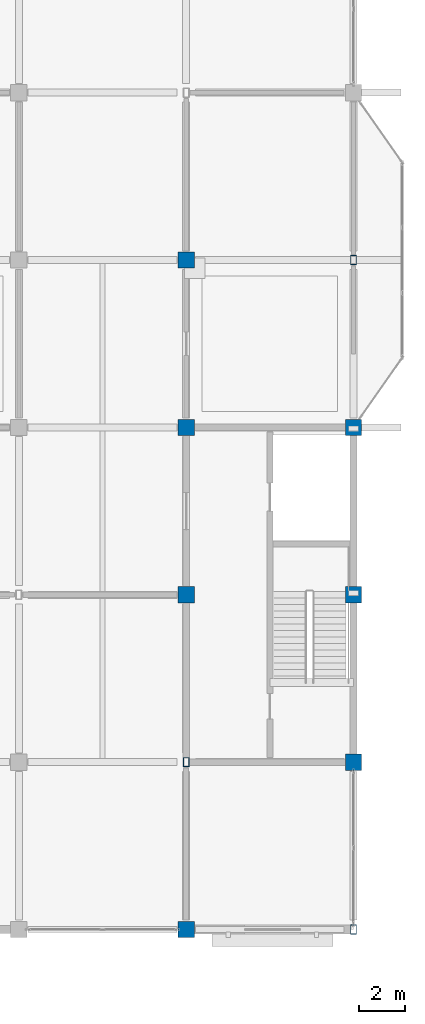
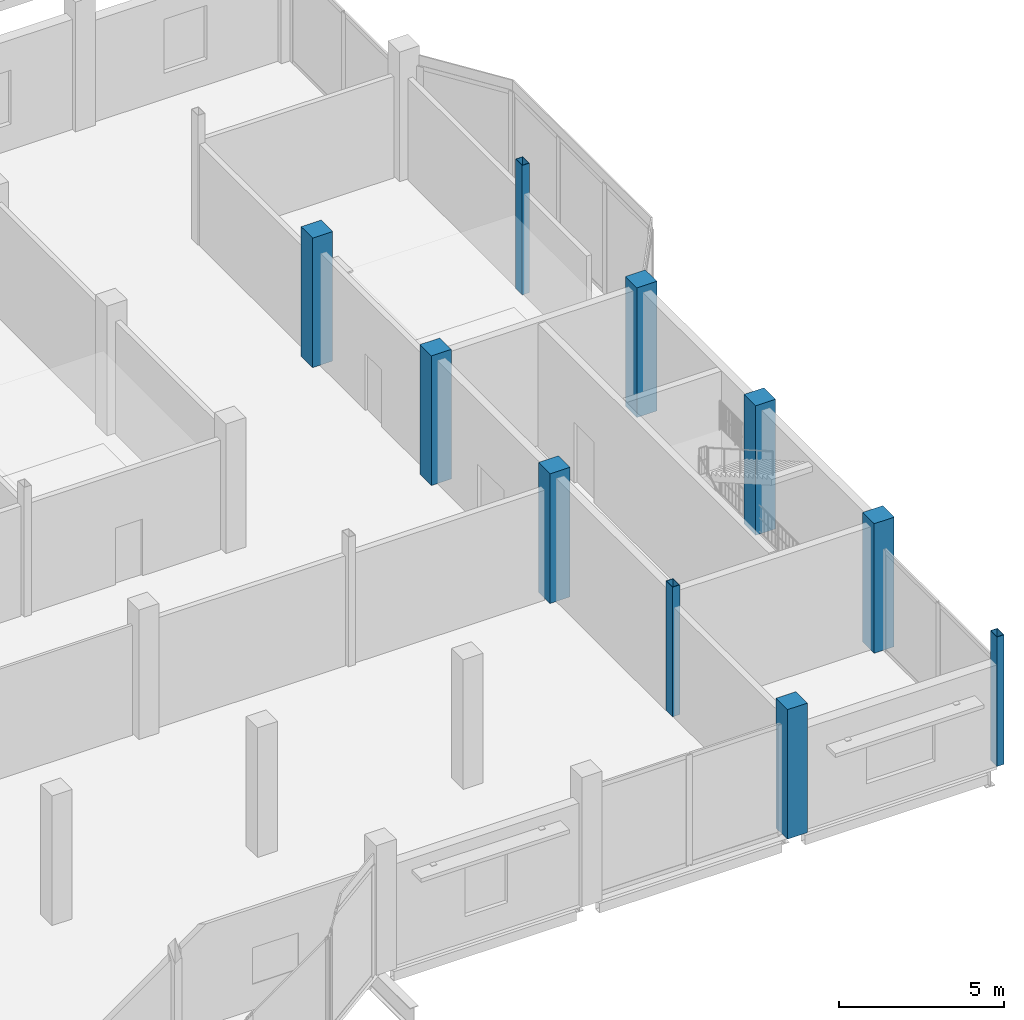
# One storey, part 12 of 120: 10 columns.
"""IFC4 building model written with IfcOpenShell, lengths in metres."""

import ifcopenshell
import ifcopenshell.guid

model = None  # the IFC model being written
_history = None  # IfcOwnerHistory: only IFC2X3 demands one
_inside = {}  # id of a spatial element -> (the spatial element, [elements in it])
_under = {}  # id of a project, library or spatial element -> (it, [spatial elements below it])
_declared = {}  # id of a project -> (the project, [libraries it declares])
_typed = {}  # id of a type object -> (the type object, [elements of that type])
_made_of = {}  # id of a material, layer set ... -> (it, [elements and type objects made of it])


def new_model(schema):
    """Start an empty IFC model of exactly this schema.

    Asked for "IFC4X3", IfcOpenShell would pick the latest addendum, in which some entities
    have other attributes; the version numbers below select the first issue.
    IFC2X3 requires an IfcOwnerHistory on every rooted entity: one is made here for all.
    """
    global model, _history
    if schema == "IFC4X3":
        model = ifcopenshell.file(schema_version=(4, 3, 0, 0))
    else:
        model = ifcopenshell.file(schema=schema)
    _inside.clear()
    _under.clear()
    _declared.clear()
    _typed.clear()
    _made_of.clear()
    _history = None
    if model.schema == "IFC2X3":
        org = make("IfcOrganization", Name="unknown")
        user = make(
            "IfcPersonAndOrganization",
            ThePerson=make("IfcPerson", FamilyName="unknown"),
            TheOrganization=org,
        )
        app = make(
            "IfcApplication",
            ApplicationDeveloper=org,
            Version="unknown",
            ApplicationFullName="unknown",
            ApplicationIdentifier="unknown",
        )
        _history = make(
            "IfcOwnerHistory",
            OwningUser=user,
            OwningApplication=app,
            ChangeAction="ADDED",
            CreationDate=0,
        )
    return model


def make(cls, **values):
    """One entity of the class cls with the attributes given. An attribute that is None is left unset."""
    return model.create_entity(
        cls, **{name: value for name, value in values.items() if value is not None}
    )


def rooted(cls, **values):
    """An entity with a GlobalId (a new one), such as an element, a storey or a relation."""
    return make(cls, GlobalId=ifcopenshell.guid.new(), OwnerHistory=_history, **values)


def si_unit(unit_type, name, prefix=None):
    """IfcSIUnit, for example si_unit("LENGTHUNIT", "METRE", prefix="MILLI")."""
    return make("IfcSIUnit", UnitType=unit_type, Prefix=prefix, Name=name)


def assignment(units):
    """IfcUnitAssignment: the units of a project."""
    return None if units is None else make("IfcUnitAssignment", Units=units)


def point(xyz):
    """IfcCartesianPoint."""
    return None if xyz is None else make("IfcCartesianPoint", Coordinates=xyz)


def direction(xyz):
    """IfcDirection."""
    return None if xyz is None else make("IfcDirection", DirectionRatios=xyz)


def frame(location, z_axis=None, x_axis=None):
    """IfcAxis2Placement3D, a coordinate frame: its origin and axes. An axis left out is left unset."""
    return make(
        "IfcAxis2Placement3D",
        Location=point(location),
        Axis=direction(z_axis),
        RefDirection=direction(x_axis),
    )


def frame_2d(location, x_axis=None):
    """IfcAxis2Placement2D, a coordinate frame in the plane: its origin and x axis."""
    return make(
        "IfcAxis2Placement2D", Location=point(location), RefDirection=direction(x_axis)
    )


def origin():
    """The frame at (0, 0, 0) with its axes left unset."""
    return frame((0.0, 0.0, 0.0))


def origin_2d():
    """The frame at (0, 0) in the plane with its x axis left unset."""
    return frame_2d((0.0, 0.0))


def place(relative_to, where):
    """IfcLocalPlacement: puts the frame where relative to a parent placement (None: the world)."""
    return make(
        "IfcLocalPlacement", PlacementRelTo=relative_to, RelativePlacement=where
    )


def context(
    kind, dimensions, precision=None, world=None, true_north=None, identifier=None
):
    """IfcGeometricRepresentationContext, for example the 3D "Model" context."""
    return make(
        "IfcGeometricRepresentationContext",
        ContextIdentifier=identifier,
        ContextType=kind,
        CoordinateSpaceDimension=dimensions,
        Precision=precision,
        WorldCoordinateSystem=world,
        TrueNorth=true_north,
    )


def subcontext(parent, identifier, kind, view, scale=None):
    """IfcGeometricRepresentationSubContext, for example "Body" below "Model"."""
    return make(
        "IfcGeometricRepresentationSubContext",
        ContextIdentifier=identifier,
        ContextType=kind,
        ParentContext=parent,
        TargetScale=scale,
        TargetView=view,
    )


def project(units=None, contexts=None):
    """IfcProject with its units and contexts."""
    return rooted(
        "IfcProject",
        Name="project",
        RepresentationContexts=contexts,
        UnitsInContext=assignment(units),
    )


def spatial(cls, under=None, at=None, **own):
    """A site, building, storey or space (cls), placed at a placement, below another one or the project."""
    s = rooted(cls, ObjectPlacement=at, **own)
    if under is not None:
        _under.setdefault(under.id(), (under, []))[1].append(s)
    return s


def profile(cls, at=None, kind="AREA", **sizes):
    """A parametric profile (cls). Its sizes go by their IFC names, for example OverallWidth=200.0."""
    return make(cls, ProfileType=kind, Position=at, **sizes)


def rectangle(**sizes):
    """IfcRectangleProfileDef."""
    return profile("IfcRectangleProfileDef", **sizes)


def hollow_rectangle(**sizes):
    """IfcRectangleHollowProfileDef."""
    return profile("IfcRectangleHollowProfileDef", **sizes)


def extrude(swept, where, along, depth):
    """IfcExtrudedAreaSolid: the profile swept, set in the frame where, extruded along a direction by depth."""
    return make(
        "IfcExtrudedAreaSolid",
        SweptArea=swept,
        Position=where,
        ExtrudedDirection=direction(along),
        Depth=depth,
    )


def shape(context_of_items, identifier, shape_type, items):
    """IfcShapeRepresentation: the items that make up one representation, for example the "Body"."""
    return make(
        "IfcShapeRepresentation",
        ContextOfItems=context_of_items,
        RepresentationIdentifier=identifier,
        RepresentationType=shape_type,
        Items=items,
    )


def material(Name=None, Category=None):
    """IfcMaterial."""
    return make("IfcMaterial", Name=Name, Category=Category)


def material_profile(
    of_material, cross_section, Name=None, Category=None, Priority=None
):
    """IfcMaterialProfile: a cross section and its material."""
    return make(
        "IfcMaterialProfile",
        Name=Name,
        Material=of_material,
        Profile=cross_section,
        Priority=Priority,
        Category=Category,
    )


def profile_set(profiles, Name=None, composite=None):
    """IfcMaterialProfileSet."""
    return make(
        "IfcMaterialProfileSet",
        Name=Name,
        MaterialProfiles=profiles,
        CompositeProfile=composite,
    )


def made_of(thing, what):
    """Note that an element or type object is made of a material, layer set ...; save() writes the relation."""
    if what is not None:
        _made_of.setdefault(what.id(), (what, []))[1].append(thing)
    return thing


def type_object(cls, material=None, **own):
    """A type object (cls), such as IfcWallType, which elements share."""
    return made_of(rooted(cls, **own), material)


def element(
    cls,
    number,
    at=None,
    inside=None,
    cuts=None,
    type_object=None,
    material=None,
    context=None,
    identifier="Body",
    shape_type=None,
    held_by="IfcProductDefinitionShape",
    body=None,
    shapes=None,
    **own,
):
    """One element of the class cls, such as IfcWall. Its Tag is "e" and its number.

    at: its placement. inside: the storey or other place that contains it. cuts: it is an
    opening in that element (IfcRelVoidsElement). A single representation is given by context,
    identifier, shape_type and body (its items); several are given by shapes. held_by: the class
    of the entity that holds the representations. save() writes the other relations.
    """
    e = rooted(cls, Tag="e%d" % number, ObjectPlacement=at, **own)
    if body is not None:
        shapes = [shape(context, identifier, shape_type, body)]
    if shapes is not None:
        e.Representation = make(held_by, Representations=shapes)
    if inside is not None:
        _inside.setdefault(inside.id(), (inside, []))[1].append(e)
    if cuts is not None:
        rooted(
            "IfcRelVoidsElement", RelatingBuildingElement=cuts, RelatedOpeningElement=e
        )
    if type_object is not None:
        _typed.setdefault(type_object.id(), (type_object, []))[1].append(e)
    return made_of(e, material)


def aggregate(whole, parts):
    """IfcRelAggregates: a whole, such as a stair, and the parts it consists of."""
    return rooted("IfcRelAggregates", RelatingObject=whole, RelatedObjects=parts)


def save(model, path):
    """Write the relations noted so far, then the file.

    IfcRelAggregates (storeys below a building ...), IfcRelContainedInSpatialStructure (elements
    in a storey), IfcRelDefinesByType, IfcRelAssociatesMaterial and IfcRelDeclares: one each for
    every whole, place, type object, material and project.
    """
    for whole, parts in _under.values():
        aggregate(whole, parts)
    for where, things in _inside.values():
        rooted(
            "IfcRelContainedInSpatialStructure",
            RelatedElements=things,
            RelatingStructure=where,
        )
    for kind, things in _typed.values():
        rooted("IfcRelDefinesByType", RelatedObjects=things, RelatingType=kind)
    for what, things in _made_of.values():
        rooted("IfcRelAssociatesMaterial", RelatedObjects=things, RelatingMaterial=what)
    for by, libraries in _declared.values():
        rooted("IfcRelDeclares", RelatingContext=by, RelatedDefinitions=libraries)
    model.write(path)


model = new_model("IFC4")

# Units and contexts
model_context = context("Model", 3, precision=1e-05, world=origin(), true_north=direction((0.0, 1.0)))
body_context = subcontext(model_context, "Body", "Model", "MODEL_VIEW")
ifc_project = project(units=[si_unit("LENGTHUNIT", "METRE"), si_unit("AREAUNIT", "SQUARE_METRE"), si_unit("VOLUMEUNIT", "CUBIC_METRE"), si_unit("PLANEANGLEUNIT", "RADIAN"), si_unit("MASSUNIT", "GRAM", prefix="KILO")], contexts=[model_context])

# Site, building, storey
site_placement = place(None, origin())
site = spatial("IfcSite", under=ifc_project, at=site_placement, CompositionType="ELEMENT")
building_placement = place(site_placement, origin())
building = spatial("IfcBuilding", under=site, at=building_placement, Name="Vesperath Aquatics Centre", CompositionType="ELEMENT")
storey_placement = place(building_placement, frame((0.0, 0.0, 10.199951171875)))
storey = spatial("IfcBuildingStorey", under=building, at=storey_placement, Name="L02", CompositionType="ELEMENT", Elevation=10.199951171875)

# Columns
ifc_material_1 = material(Name="Concrete C40", Category="concrete")
ifc_material_profile_1 = material_profile(ifc_material_1, rectangle(XDim=0.699951171875, YDim=0.699951171875, at=origin_2d()), Name="RC 700x700")
ifc_profile_set_1 = profile_set([ifc_material_profile_1], Name="Concrete C40")
column_type_1 = type_object("IfcColumnType", Name="CL-C05", PredefinedType="COLUMN", material=ifc_profile_set_1)
for number, where, z_axis, x_axis, name in (
    (1, (165.60009765625, 0.0, 0.0), (0.0, 0.0, 1.0), (1.0, 0.0, 0.0), "Column C05 L02 24/A"),
    (2, (165.60009765625, 14.39990234375, 0.0), (0.0, 0.0, 1.0), (1.0, 0.0, 0.0), "Column C05 L02 24/C"),
    (3, (165.60009765625, 21.60009765625, 0.0), (0.0, 0.0, 1.0), (1.0, 0.0, 0.0), "Column C05 L02 24/D"),
    (4, (165.60009765625, 28.800048828125, 0.0), (0.0, 0.0, 1.0), (1.0, 0.0, 0.0), "Column C05 L02 24/E"),
    (5, (172.800048828125, 7.199951171875, 0.0), (0.0, 0.0, 1.0), (1.0, 0.0, 0.0), "Column C05 L02 25/B"),
    (6, (172.800048828125, 14.39990234375, 0.0), (0.0, 0.0, 1.0), (1.0, 0.0, 0.0), "Column C05 L02 25/C"),
    (7, (172.800048828125, 21.60009765625, 0.0), (0.0, 0.0, 1.0), (1.0, 0.0, 0.0), "Column C05 L02 25/D"),
):
    element("IfcColumn", number, at=place(storey_placement, frame(where, z_axis=z_axis, x_axis=x_axis)), inside=storey, type_object=column_type_1, Name=name, PredefinedType="COLUMN", context=body_context, shape_type="SweptSolid", body=[
        extrude(rectangle(XDim=0.699951171875, YDim=0.699951171875, at=origin_2d()), origin(), (0.0, 0.0, 1.0), 4.800048828125),
    ])
ifc_material_2 = material(Name="Steel Q355D", Category="steel")
ifc_material_profile_2 = material_profile(ifc_material_2, hollow_rectangle(XDim=0.25, YDim=0.39990234375, WallThickness=0.013916015625, at=origin_2d()), Name="RHS 400x250x14")
ifc_profile_set_2 = profile_set([ifc_material_profile_2], Name="Steel Q355D")
column_type_2 = type_object("IfcColumnType", Name="CL-C15", PredefinedType="COLUMN", material=ifc_profile_set_2)
for number, where, z_axis, x_axis, name in (
    (8, (165.60009765625, 7.199951171875, 0.0), (0.0, 0.0, 1.0), (1.0, 0.0, 0.0), "Column C15 L02 24/B"),
    (9, (172.800048828125, 0.0, 0.0), (0.0, 0.0, 1.0), (1.0, 0.0, 0.0), "Column C15 L02 25/A"),
    (10, (172.800048828125, 28.800048828125, 0.0), (0.0, 0.0, 1.0), (1.0, 0.0, 0.0), "Column C15 L02 25/E"),
):
    element("IfcColumn", number, at=place(storey_placement, frame(where, z_axis=z_axis, x_axis=x_axis)), inside=storey, type_object=column_type_2, Name=name, PredefinedType="COLUMN", context=body_context, shape_type="SweptSolid", body=[
        extrude(hollow_rectangle(XDim=0.25, YDim=0.39990234375, WallThickness=0.013916015625, at=origin_2d()), origin(), (0.0, 0.0, 1.0), 4.800048828125),
    ])

save(model, "model.ifc")
